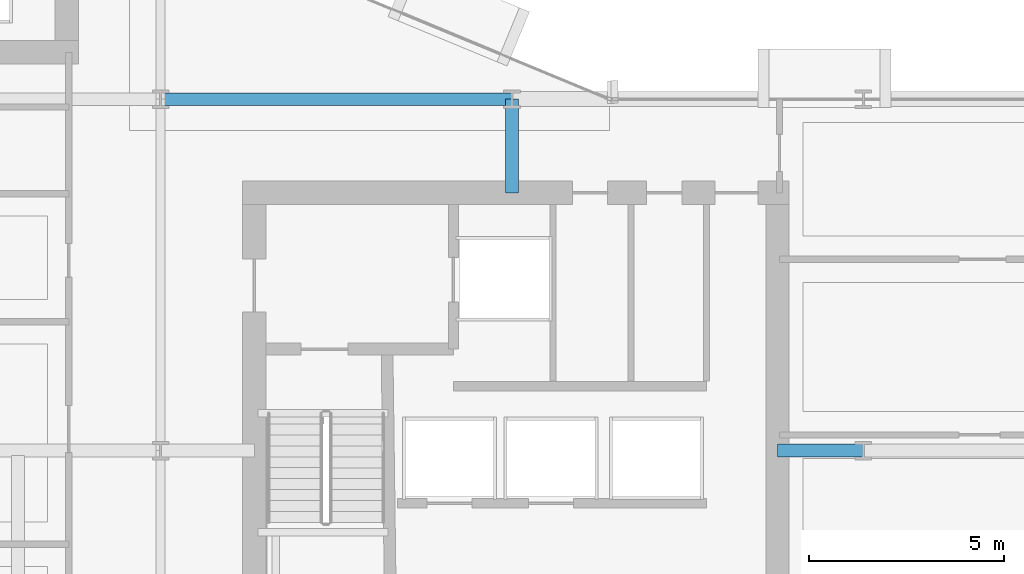
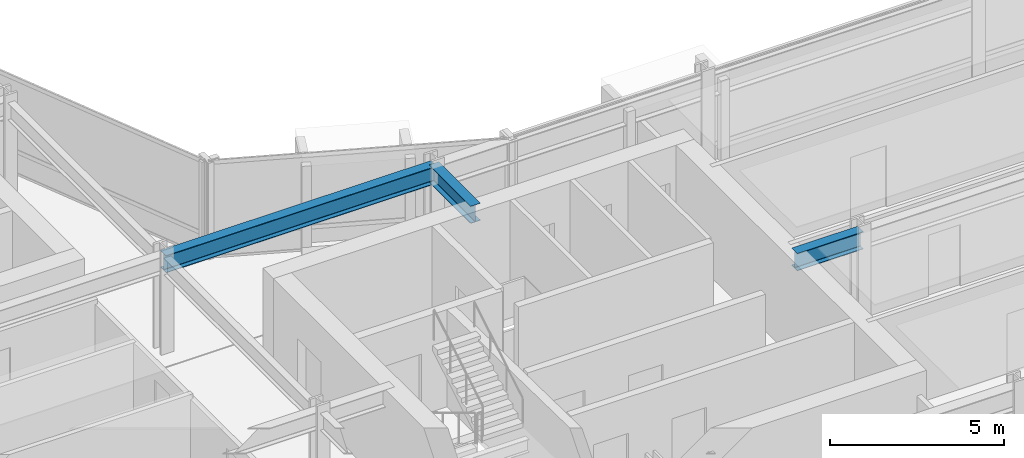
# One storey, part 14 of 34: 3 beams.
"""IFC4 building model written with IfcOpenShell, lengths in metres."""

from ifc_helpers import new_model, si_unit, direction, frame, origin, origin_2d, place, context, subcontext, project, spatial, i_section, extrude, material, material_profile, profile_set, type_object, element, save


model = new_model("IFC4")

# Units and contexts
model_context = context("Model", 3, precision=1e-05, world=origin(), true_north=direction((0.0, 1.0)))
body_context = subcontext(model_context, "Body", "Model", "MODEL_VIEW")
ifc_project = project(units=[si_unit("LENGTHUNIT", "METRE"), si_unit("AREAUNIT", "SQUARE_METRE"), si_unit("VOLUMEUNIT", "CUBIC_METRE"), si_unit("PLANEANGLEUNIT", "RADIAN"), si_unit("MASSUNIT", "GRAM", prefix="KILO")], contexts=[model_context])

# Site, building, storey
site_placement = place(None, origin())
site = spatial("IfcSite", under=ifc_project, at=site_placement, CompositionType="ELEMENT")
building_placement = place(site_placement, origin())
building = spatial("IfcBuilding", under=site, at=building_placement, Name="Solvaryn Broadcast Tower", CompositionType="ELEMENT")
storey_placement = place(building_placement, frame((0.0, 0.0, 92.800048828125)))
storey = spatial("IfcBuildingStorey", under=building, at=storey_placement, Name="L22", CompositionType="ELEMENT", Elevation=92.800048828125)

# Beams
ifc_material = material(Name="Steel ASTM A992 Grade 50", Category="steel")
ifc_material_profile = material_profile(ifc_material, i_section(OverallWidth=0.323974609375, OverallDepth=0.611083984375, WebThickness=0.0126953125, FlangeThickness=0.01904296875, FilletRadius=0.014892578125, at=origin_2d()))
ifc_profile_set = profile_set([ifc_material_profile], Name="Steel ASTM A992 Grade 50")
beam_type = type_object("IfcBeamType", Name="BM-B1-W24X104", PredefinedType="BEAM", material=ifc_profile_set)
beam_1_placement = place(storey_placement, frame((27.0, 27.0, 3.114501953125), z_axis=(1.0, 0.0, 0.0), x_axis=(0.0, 1.0, 0.0)))
element("IfcBeam", 1, at=beam_1_placement, inside=storey, type_object=beam_type, Name="L22 Primary Beam X (27-36 @ Y=27)", PredefinedType="BEAM", context=body_context, shape_type="SweptSolid", body=[
    extrude(i_section(OverallWidth=0.323974609375, OverallDepth=0.611083984375, WebThickness=0.0126953125, FlangeThickness=0.01904296875, FilletRadius=0.014892578125, at=origin_2d()), origin(), (0.0, 0.0, 1.0), 9.0),
])
beam_2_placement = place(storey_placement, frame((36.0, 24.60009765625, 3.114501953125), z_axis=(0.0, 1.0, 0.0), x_axis=(-1.0, 0.0, 0.0)))
element("IfcBeam", 2, at=beam_2_placement, inside=storey, type_object=beam_type, Name="L22 Core Tie Beam CTE2", PredefinedType="BEAM", context=body_context, shape_type="SweptSolid", body=[
    extrude(i_section(OverallWidth=0.323974609375, OverallDepth=0.611083984375, WebThickness=0.0126953125, FlangeThickness=0.01904296875, FilletRadius=0.014892578125, at=origin_2d()), origin(), (0.0, 0.0, 1.0), 2.39990234375),
])
beam_3_placement = place(storey_placement, frame((42.800048828125, 18.0, 3.114501953125), z_axis=(1.0, 0.0, 0.0), x_axis=(0.0, 1.0, 0.0)))
element("IfcBeam", 3, at=beam_3_placement, inside=storey, type_object=beam_type, Name="L22 Core Tie Beam CTE3", PredefinedType="BEAM", context=body_context, shape_type="SweptSolid", body=[
    extrude(i_section(OverallWidth=0.323974609375, OverallDepth=0.611083984375, WebThickness=0.0126953125, FlangeThickness=0.01904296875, FilletRadius=0.014892578125, at=origin_2d()), origin(), (0.0, 0.0, 1.0), 2.199951171875),
])

save(model, "model.ifc")
